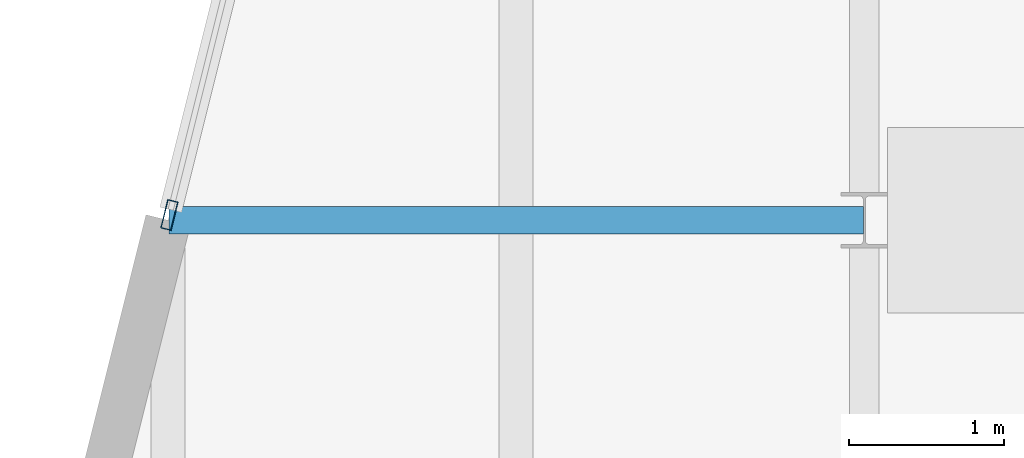
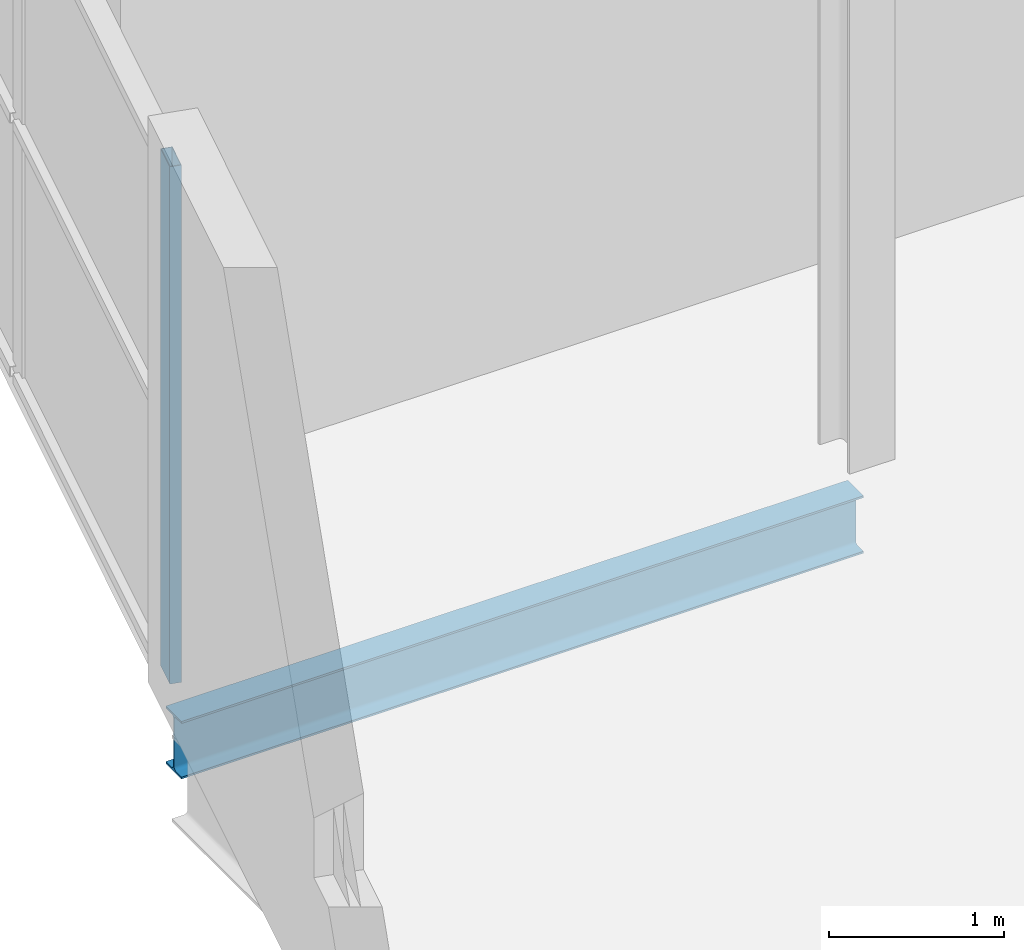
# One storey, part 90 of 132: 1 beam, 1 member, 1 element without a shape of its own.
"""IFC4 building model written with IfcOpenShell, lengths in metres."""

from ifc_helpers import new_model, si_unit, direction, frame, origin, origin_2d, place, context, subcontext, project, spatial, hollow_rectangle, i_section, extrude, material, layer, layer_set, material_profile, profile_set, type_object, element, aggregate, save


model = new_model("IFC4")

# Units and contexts
model_context = context("Model", 3, precision=1e-05, world=origin(), true_north=direction((0.0, 1.0)))
body_context = subcontext(model_context, "Body", "Model", "MODEL_VIEW")
ifc_project = project(units=[si_unit("LENGTHUNIT", "METRE"), si_unit("AREAUNIT", "SQUARE_METRE"), si_unit("VOLUMEUNIT", "CUBIC_METRE"), si_unit("PLANEANGLEUNIT", "RADIAN"), si_unit("MASSUNIT", "GRAM", prefix="KILO")], contexts=[model_context])

# Site, building, storey
site_placement = place(None, origin())
site = spatial("IfcSite", under=ifc_project, at=site_placement, CompositionType="ELEMENT")
building_placement = place(site_placement, origin())
building = spatial("IfcBuilding", under=site, at=building_placement, Name="Deido Ridge Mobility Hub", CompositionType="ELEMENT")
storey_placement = place(building_placement, frame((0.0, 0.0, 8.39990234375)))
storey = spatial("IfcBuildingStorey", under=building, at=storey_placement, Name="L02", CompositionType="ELEMENT", Elevation=8.39990234375)

# Beam
ifc_material_1 = material(Name="Steel S355J2 EN 10025-2", Category="steel")
ifc_material_profile_1 = material_profile(ifc_material_1, i_section(OverallWidth=0.179931640625, OverallDepth=0.39990234375, WebThickness=0.008544921875, FlangeThickness=0.013427734375, FilletRadius=0.02099609375, at=origin_2d()), Name="IPE 400")
ifc_profile_set_1 = profile_set([ifc_material_profile_1], Name="Steel S355J2 EN 10025-2")
beam_type = type_object("IfcBeamType", Name="BM-IPE400", PredefinedType="BEAM", material=ifc_profile_set_1)
beam_placement = place(storey_placement, frame((130.506103515625, 54.0, -0.454833984375), z_axis=(1.0, 0.0, 0.0), x_axis=(0.0, 1.0, 0.0)))
element("IfcBeam", 1, at=beam_placement, inside=storey, type_object=beam_type, Name="Floor beam B5", PredefinedType="BEAM", context=body_context, shape_type="SweptSolid", body=[
    extrude(i_section(OverallWidth=0.179931640625, OverallDepth=0.39990234375, WebThickness=0.008544921875, FlangeThickness=0.013427734375, FilletRadius=0.02099609375, at=origin_2d()), origin(), (0.0, 0.0, 1.0), 4.48779296875),
])

# Curtain wall, member
ifc_material_2 = material(Name="Anodised aluminium EN AW-6063 T6", Category="aluminium")
ifc_layer = layer(ifc_material_2, 0.239990234375, Name="Anodised aluminium EN AW-6063 T6")
ifc_layer_set = layer_set([ifc_layer], Name="Anodised aluminium EN AW-6063 T6")
curtain_wall_type = type_object("IfcCurtainWallType", Name="CW-UF-6", PredefinedType="USERDEFINED", material=ifc_layer_set)
curtain_wall_placement = place(storey_placement, origin())
curtain_wall = element("IfcCurtainWall", 2, at=curtain_wall_placement, inside=storey, type_object=curtain_wall_type, Name="Unitised curtain wall CW6", ObjectType="UNITISED FACADE", PredefinedType="USERDEFINED")
ifc_material_profile_2 = material_profile(ifc_material_2, hollow_rectangle(XDim=0.070068359375, YDim=0.18994140625, WallThickness=0.00390625, at=origin_2d()), Name="RHS 70x190x4")
ifc_profile_set_2 = profile_set([ifc_material_profile_2], Name="Anodised aluminium EN AW-6063 T6")
member_type = type_object("IfcMemberType", Name="MEM-MUL-70X190", PredefinedType="MULLION", material=ifc_profile_set_2)
member_placement = place(storey_placement, frame((130.508544921875, 54.033935546875, 0.0), z_axis=(0.0, 0.0, 1.0), x_axis=(-0.970142500145, 0.242535625038, 0.0)))
member = element("IfcMember", 3, at=member_placement, type_object=member_type, Name="CW6 mullion 1", PredefinedType="MULLION", context=body_context, shape_type="SweptSolid", body=[
    extrude(hollow_rectangle(XDim=0.070068359375, YDim=0.18994140625, WallThickness=0.00390625, at=origin_2d()), origin(), (0.0, 0.0, 1.0), 3.60009765625),
])
aggregate(curtain_wall, [member])

save(model, "model.ifc")
